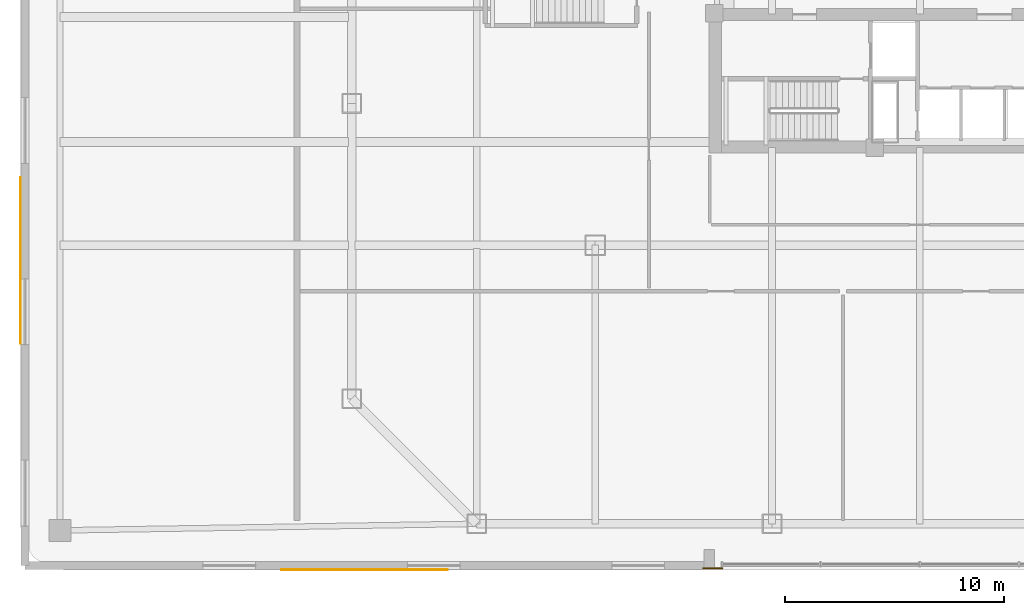
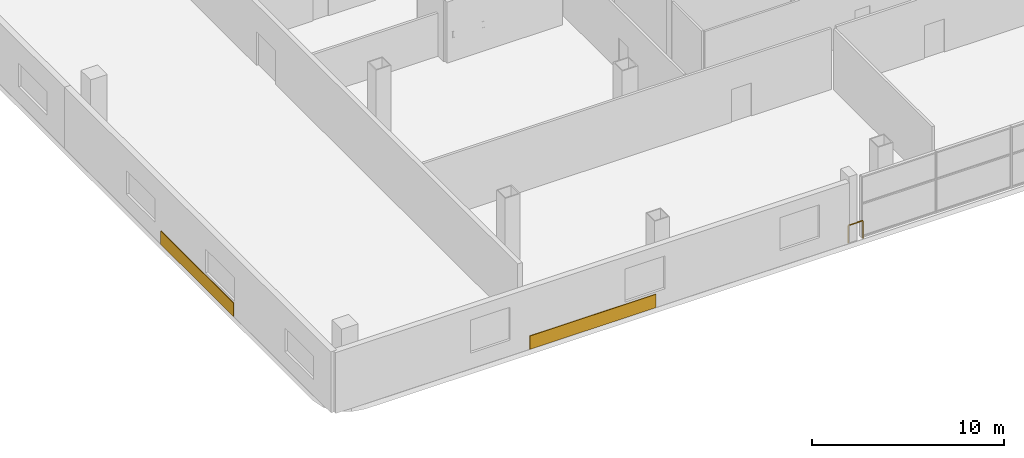
# One storey, part 16 of 21: 2 coverings, 1 railing.
"""IFC4 building model written with IfcOpenShell, lengths in metres."""

from ifc_helpers import new_model, si_unit, direction, frame, origin, origin_2d, place, context, subcontext, project, spatial, rectangle, extrude, material, layer, layer_set, type_object, element, save


model = new_model("IFC4")

# Units and contexts
model_context = context("Model", 3, precision=1e-05, world=origin(), true_north=direction((0.0, 1.0)))
body_context = subcontext(model_context, "Body", "Model", "MODEL_VIEW")
ifc_project = project(units=[si_unit("LENGTHUNIT", "METRE"), si_unit("AREAUNIT", "SQUARE_METRE"), si_unit("VOLUMEUNIT", "CUBIC_METRE"), si_unit("PLANEANGLEUNIT", "RADIAN"), si_unit("MASSUNIT", "GRAM", prefix="KILO")], contexts=[model_context])

# Site, building, storey
site_placement = place(None, origin())
site = spatial("IfcSite", under=ifc_project, at=site_placement, CompositionType="ELEMENT")
building_placement = place(site_placement, origin())
building = spatial("IfcBuilding", under=site, at=building_placement, Name="Qhalaya Broadcast Tower", CompositionType="ELEMENT")
storey_placement = place(building_placement, frame((0.0, 0.0, 5.10009765625)))
storey = spatial("IfcBuildingStorey", under=building, at=storey_placement, Name="L01", CompositionType="ELEMENT", Elevation=5.10009765625)

# Coverings
ifc_material_1 = material(Name="Fired Architectural Terracotta", Category="masonry")
ifc_layer = layer(ifc_material_1, 0.044921875, Name="Fired Architectural Terracotta")
ifc_layer_set = layer_set([ifc_layer], Name="Fired Architectural Terracotta")
covering_type = type_object("IfcCoveringType", Name="Polychrome Terracotta Rainscreen Cladding CLD-01", PredefinedType="CLADDING", material=ifc_layer_set)
for number, where, z_axis, x_axis, name in (
    (1, (-25.320068359375, -28.0, 0.02490234375), (0.0, 0.0, 1.0), (-1.0, 0.0, 0.0), "L01 Terracotta Spandrel Cladding EW-SW"),
    (2, (-41.0, -13.89990234375, 0.02490234375), (0.0, 0.0, 1.0), (0.0, 1.0, 0.0), "L01 Terracotta Spandrel Cladding EW-WS"),
):
    element("IfcCovering", number, at=place(storey_placement, frame(where, z_axis=z_axis, x_axis=x_axis)), inside=storey, type_object=covering_type, Name=name, PredefinedType="CLADDING", context=body_context, shape_type="SweptSolid", body=[
        extrude(rectangle(XDim=7.60009765625, YDim=0.044921875, at=origin_2d()), origin(), (0.0, 0.0, 1.0), 0.85009765625),
    ])

# Railing
ifc_material_2 = material(Name="Powder-Coated Galvanised Steel", Category="steel")
railing_type = type_object("IfcRailingType", Name="Terrace, Sky-Pool & Lookout Glass Balustrade 1150", PredefinedType="BALUSTRADE", material=ifc_material_2)
railing_placement = place(storey_placement, frame((-9.8798828125, -27.919921875, 0.0)))
element("IfcRailing", 3, at=railing_placement, inside=storey, type_object=railing_type, Name="L01 Concourse Portal Shoulder Safety Balustrade PSW", PredefinedType="BALUSTRADE", context=body_context, shape_type="SweptSolid", body=[
    extrude(rectangle(XDim=0.048095703125, YDim=0.048095703125, at=origin_2d()), frame((0.0, 0.0, 1.1259765625), z_axis=(1.0, 0.0, 0.0), x_axis=(0.0, 1.0, 0.0)), (0.0, 0.0, 1.0), 0.8798828125),
    extrude(rectangle(XDim=0.0419921875, YDim=0.0419921875, at=origin_2d()), origin(), (0.0, 0.0, 1.0), 1.099853515625),
    extrude(rectangle(XDim=0.0419921875, YDim=0.0419921875, at=origin_2d()), frame((0.8798828125, 0.0, 0.0)), (0.0, 0.0, 1.0), 1.099853515625),
])

save(model, "model.ifc")
